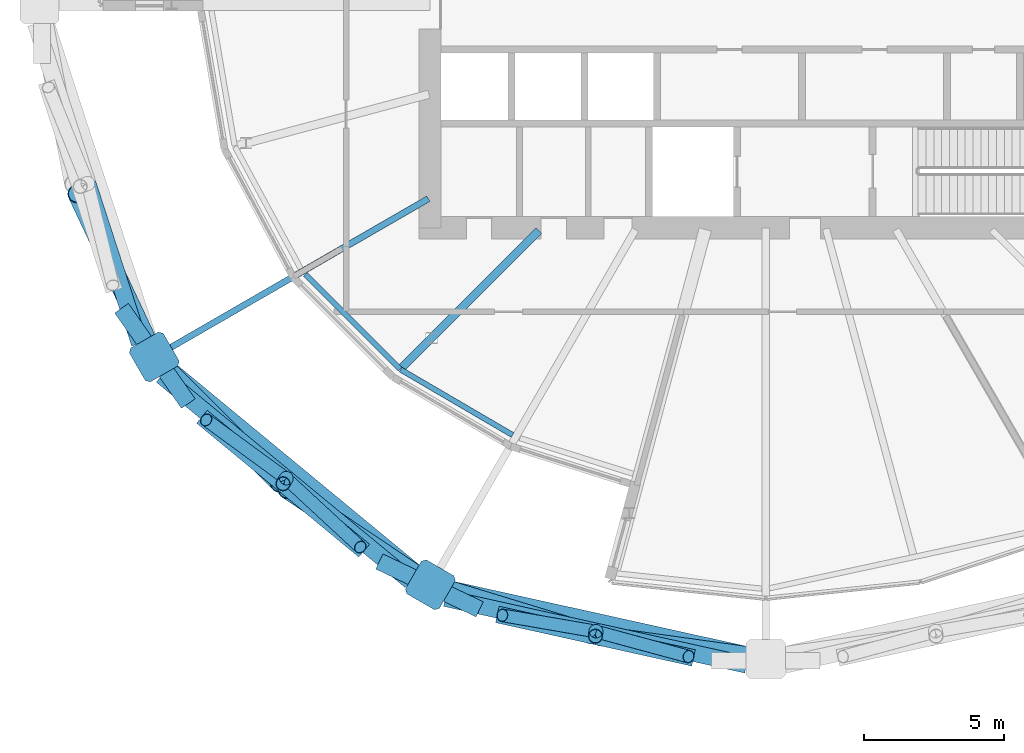
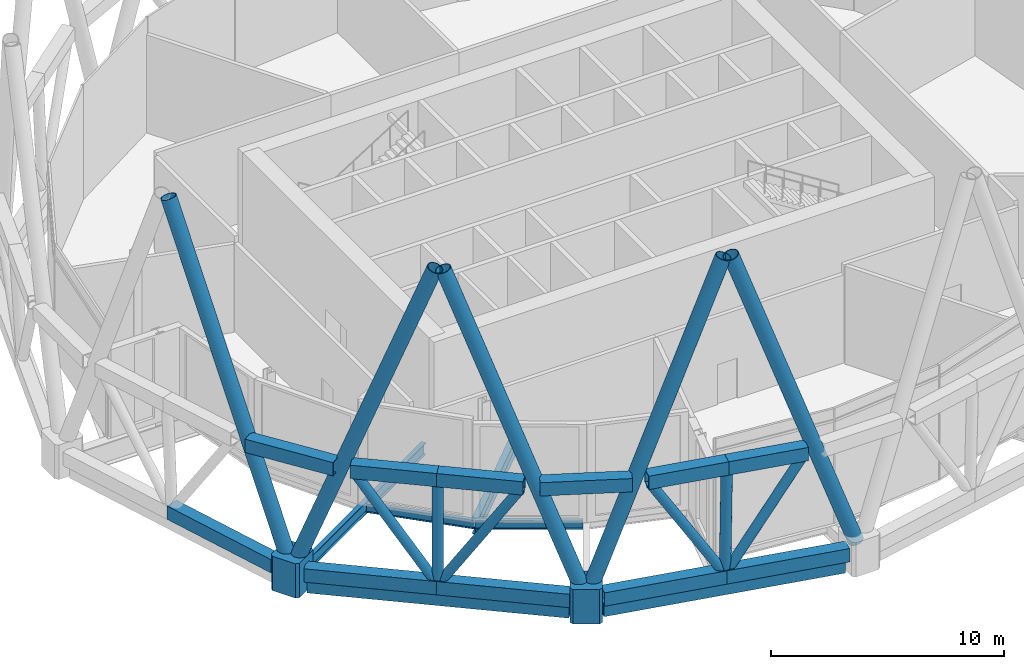
# One storey, part 3 of 33: 24 members, 6 beams.
"""IFC4 building model written with IfcOpenShell, lengths in metres."""

from ifc_helpers import new_model, si_unit, direction, frame, origin, origin_2d, place, context, subcontext, project, spatial, polyline, hollow_rectangle, hollow_circle, i_section, outline, extrude, material, material_profile, profile_set, type_object, element, save


model = new_model("IFC4")

# Units and contexts
model_context = context("Model", 3, precision=1e-05, world=origin(), true_north=direction((0.0, 1.0)))
body_context = subcontext(model_context, "Body", "Model", "MODEL_VIEW")
ifc_project = project(units=[si_unit("LENGTHUNIT", "METRE"), si_unit("AREAUNIT", "SQUARE_METRE"), si_unit("VOLUMEUNIT", "CUBIC_METRE"), si_unit("PLANEANGLEUNIT", "RADIAN"), si_unit("MASSUNIT", "GRAM", prefix="KILO")], contexts=[model_context])

# Site, building, storey
site_placement = place(None, origin())
site = spatial("IfcSite", under=ifc_project, at=site_placement, CompositionType="ELEMENT")
building_placement = place(site_placement, origin())
building = spatial("IfcBuilding", under=site, at=building_placement, Name="Rimbun Link Towers", CompositionType="ELEMENT")
storey_placement = place(building_placement, frame((0.0, 0.0, 75.60009765625)))
storey = spatial("IfcBuildingStorey", under=building, at=storey_placement, Name="L18", CompositionType="ELEMENT", Elevation=75.60009765625)

# Members
ifc_material_1 = material(Name="Steel S460N", Category="steel")
ifc_material_profile_1 = material_profile(ifc_material_1, hollow_rectangle(XDim=0.60009765625, YDim=0.699951171875, WallThickness=0.034912109375, at=origin_2d()), Name="Belt truss chord BOX 600x700x35")
ifc_profile_set_1 = profile_set([ifc_material_profile_1], Name="Steel S460N")
member_type_1 = type_object("IfcMemberType", Name="Belt truss chord BOX 600x700x35", PredefinedType="CHORD", material=ifc_profile_set_1)
member_1_placement = place(storey_placement, frame((-54.775390625, -10.875, 6.0), z_axis=(0.57337572411, -0.819292547874, 0.0), x_axis=(0.819292547874, 0.57337572411, 0.0)))
element("IfcMember", 1, at=member_1_placement, inside=storey, type_object=member_type_1, Name="Belt truss chord T1 L18 top 07", PredefinedType="CHORD", context=body_context, shape_type="SweptSolid", body=[
    extrude(hollow_rectangle(XDim=0.60009765625, YDim=0.699951171875, WallThickness=0.034912109375, at=origin_2d()), origin(), (0.0, 0.0, 1.0), 4.16162109375),
])
member_2_placement = place(storey_placement, frame((-45.5625, -19.927734375, 6.0), z_axis=(0.902615066125, -0.430448652459, 0.0), x_axis=(0.430448652459, 0.902615066125, 0.0)))
element("IfcMember", 2, at=member_2_placement, inside=storey, type_object=member_type_1, Name="Belt truss chord T1 L18 top 08", PredefinedType="CHORD", context=body_context, shape_type="SweptSolid", body=[
    extrude(hollow_rectangle(XDim=0.60009765625, YDim=0.699951171875, WallThickness=0.034912109375, at=origin_2d()), origin(), (0.0, 0.0, 1.0), 3.9736328125),
])
member_3_placement = place(storey_placement, frame((-55.98828125, -6.417236328125, 0.18994140625), z_axis=(0.309075966381, -0.951037353107, 0.0), x_axis=(0.951037353107, 0.309075966381, 0.0)))
element("IfcMember", 3, at=member_3_placement, inside=storey, type_object=member_type_1, Name="Belt truss chord T1 L18 bottom 13", PredefinedType="CHORD", context=body_context, shape_type="SweptSolid", body=[
    extrude(hollow_rectangle(XDim=0.60009765625, YDim=0.699951171875, WallThickness=0.034912109375, at=origin_2d()), origin(), (0.0, 0.0, 1.0), 6.0087890625),
])
member_4_placement = place(storey_placement, frame((-53.345947265625, -13.285888671875, 0.18994140625), z_axis=(0.771283994621, -0.636491162265, 0.0), x_axis=(0.636491162265, 0.771283994621, 0.0)))
element("IfcMember", 4, at=member_4_placement, inside=storey, type_object=member_type_1, Name="Belt truss chord T1 L18 bottom 14", PredefinedType="CHORD", context=body_context, shape_type="SweptSolid", body=[
    extrude(hollow_rectangle(XDim=0.60009765625, YDim=0.699951171875, WallThickness=0.034912109375, at=origin_2d()), origin(), (0.0, 0.0, 1.0), 5.7724609375),
])
member_5_placement = place(storey_placement, frame((-48.893798828125, -16.9599609375, 0.18994140625), z_axis=(0.77126685936, -0.636511925775, 0.0), x_axis=(0.636511925775, 0.77126685936, 0.0)))
element("IfcMember", 5, at=member_5_placement, inside=storey, type_object=member_type_1, Name="Belt truss chord T1 L18 bottom 15", PredefinedType="CHORD", context=body_context, shape_type="SweptSolid", body=[
    extrude(hollow_rectangle(XDim=0.60009765625, YDim=0.699951171875, WallThickness=0.034912109375, at=origin_2d()), origin(), (0.0, 0.0, 1.0), 5.772216796875),
])
member_6_placement = place(storey_placement, frame((-51.904052734375, -14.75537109375, 6.0), z_axis=(0.771272091865, -0.636505585451, 0.0), x_axis=(0.636505585451, 0.771272091865, 0.0)))
element("IfcMember", 6, at=member_6_placement, inside=storey, type_object=member_type_1, Name="Belt truss chord T1 L18 top 26", PredefinedType="CHORD", context=body_context, shape_type="SweptSolid", body=[
    extrude(hollow_rectangle(XDim=0.60009765625, YDim=0.699951171875, WallThickness=0.034912109375, at=origin_2d()), origin(), (0.0, 0.0, 1.0), 3.7607421875),
])
member_7_placement = place(storey_placement, frame((-49.00341796875, -17.149169921875, 6.0), z_axis=(0.771298390091, -0.636473717795, 0.0), x_axis=(0.636473717795, 0.771298390091, 0.0)))
element("IfcMember", 7, at=member_7_placement, inside=storey, type_object=member_type_1, Name="Belt truss chord T1 L18 top 27", PredefinedType="CHORD", context=body_context, shape_type="SweptSolid", body=[
    extrude(hollow_rectangle(XDim=0.60009765625, YDim=0.699951171875, WallThickness=0.034912109375, at=origin_2d()), origin(), (0.0, 0.0, 1.0), 3.760986328125),
])
for number, where, z_axis, x_axis, name in (
    (8, (-43.202392578125, -21.23876953125, 0.18994140625), (0.976355546465, -0.216170874279, 0.0), (0.216170874279, 0.976355546465, 0.0), "Belt truss chord T1 L18 bottom 16"),
    (9, (-37.819091796875, -22.4306640625, 0.18994140625), (0.976355546465, -0.216170874279, 0.0), (0.216170874279, 0.976355546465, 0.0), "Belt truss chord T1 L18 bottom 17"),
):
    element("IfcMember", number, at=place(storey_placement, frame(where, z_axis=z_axis, x_axis=x_axis)), inside=storey, type_object=member_type_1, Name=name, PredefinedType="CHORD", context=body_context, shape_type="SweptSolid", body=[
        extrude(hollow_rectangle(XDim=0.60009765625, YDim=0.699951171875, WallThickness=0.034912109375, at=origin_2d()), origin(), (0.0, 0.0, 1.0), 5.513671875),
    ])
member_8_placement = place(storey_placement, frame((-41.3447265625, -21.82177734375, 6.0), z_axis=(0.976356305139, -0.216167447632, 0.0), x_axis=(0.216167447632, 0.976356305139, 0.0)))
element("IfcMember", 10, at=member_8_placement, inside=storey, type_object=member_type_1, Name="Belt truss chord T1 L18 top 28", PredefinedType="CHORD", context=body_context, shape_type="SweptSolid", body=[
    extrude(hollow_rectangle(XDim=0.60009765625, YDim=0.699951171875, WallThickness=0.034912109375, at=origin_2d()), origin(), (0.0, 0.0, 1.0), 3.591552734375),
])
member_9_placement = place(storey_placement, frame((-37.838134765625, -22.59814453125, 6.0), z_axis=(0.97635312836, -0.216181795584, 0.0), x_axis=(0.216181795584, 0.97635312836, 0.0)))
element("IfcMember", 11, at=member_9_placement, inside=storey, type_object=member_type_1, Name="Belt truss chord T1 L18 top 29", PredefinedType="CHORD", context=body_context, shape_type="SweptSolid", body=[
    extrude(hollow_rectangle(XDim=0.60009765625, YDim=0.699951171875, WallThickness=0.034912109375, at=origin_2d()), origin(), (0.0, 0.0, 1.0), 3.59130859375),
])
ifc_material_2 = material(Name="Steel S355J2H", Category="steel")
ifc_material_profile_2 = material_profile(ifc_material_2, hollow_circle(Radius=0.228515625, WallThickness=0.01611328125, at=origin_2d()), Name="Belt truss diagonal CHS 457x16")
ifc_profile_set_2 = profile_set([ifc_material_profile_2], Name="Steel S355J2H")
member_type_2 = type_object("IfcMemberType", Name="Belt truss diagonal CHS 457x16", PredefinedType="BRACE", material=ifc_profile_set_2)
member_10_placement = place(storey_placement, frame((-49.04638671875, -16.84814453125, 0.484375), z_axis=(-0.435957741043, 0.319295764311, 0.841422048034), x_axis=(-0.590874279334, -0.806763649417, 0.0)))
element("IfcMember", 12, at=member_10_placement, inside=storey, type_object=member_type_2, Name="Belt truss diagonal T1 L18 14", PredefinedType="BRACE", context=body_context, shape_type="SweptSolid", body=[
    extrude(hollow_circle(Radius=0.228515625, WallThickness=0.01611328125, at=origin_2d()), origin(), (0.0, 0.0, 1.0), 6.204833984375),
])
member_11_placement = place(storey_placement, frame((-48.753173828125, -17.090087890625, 0.482666015625), z_axis=(0.401951302505, -0.371961356102, 0.836707774543), x_axis=(0.679195869776, 0.733957063103, 0.0)))
element("IfcMember", 13, at=member_11_placement, inside=storey, type_object=member_type_2, Name="Belt truss diagonal T1 L18 15", PredefinedType="BRACE", context=body_context, shape_type="SweptSolid", body=[
    extrude(hollow_circle(Radius=0.228515625, WallThickness=0.01611328125, at=origin_2d()), origin(), (0.0, 0.0, 1.0), 6.243896484375),
])
member_12_placement = place(storey_placement, frame((-38.0, -22.3994140625, 0.48779296875), z_axis=(-0.516682153979, 0.089230238491, 0.851514836217), x_axis=(-0.170179375016, -0.985413101354, 0.0)))
element("IfcMember", 14, at=member_12_placement, inside=storey, type_object=member_type_2, Name="Belt truss diagonal T1 L18 16", PredefinedType="BRACE", context=body_context, shape_type="SweptSolid", body=[
    extrude(hollow_circle(Radius=0.228515625, WallThickness=0.01611328125, at=origin_2d()), origin(), (0.0, 0.0, 1.0), 6.123291015625),
])
member_13_placement = place(storey_placement, frame((-37.640625, -22.47900390625, 0.487060546875), z_axis=(0.509700273866, -0.137939475145, 0.849222192372), x_axis=(0.261231358377, 0.965276218189, 0.0)))
element("IfcMember", 15, at=member_13_placement, inside=storey, type_object=member_type_2, Name="Belt truss diagonal T1 L18 17", PredefinedType="BRACE", context=body_context, shape_type="SweptSolid", body=[
    extrude(hollow_circle(Radius=0.228515625, WallThickness=0.01611328125, at=origin_2d()), origin(), (0.0, 0.0, 1.0), 6.1416015625),
])
ifc_material_3 = material(Name="Steel S355J2H", Category="steel")
ifc_material_profile_3 = material_profile(ifc_material_3, hollow_circle(Radius=0.25390625, WallThickness=0.02001953125, at=origin_2d()), Name="Belt truss strut CHS 508x20")
ifc_profile_set_3 = profile_set([ifc_material_profile_3], Name="Steel S355J2H")
member_type_3 = type_object("IfcMemberType", Name="Belt truss strut CHS 508x20", PredefinedType="STRUT", material=ifc_profile_set_3)
member_14_placement = place(storey_placement, frame((-48.893798828125, -16.9599609375, 0.539794921875), z_axis=(-0.021431822526, -0.036992566721, 0.999085695519), x_axis=(0.865273365949, -0.501300311369, 0.0)))
element("IfcMember", 16, at=member_14_placement, inside=storey, type_object=member_type_3, Name="Belt truss strut T1 L18 07", PredefinedType="STRUT", context=body_context, shape_type="SweptSolid", body=[
    extrude(hollow_circle(Radius=0.25390625, WallThickness=0.02001953125, at=origin_2d()), origin(), (0.0, 0.0, 1.0), 5.11474609375),
])
member_15_placement = place(storey_placement, frame((-37.819091796875, -22.4306640625, 0.539794921875), z_axis=(-0.003724504363, -0.032756538375, 0.999456420891), x_axis=(0.99359786667, -0.112974684548, 0.0)))
element("IfcMember", 17, at=member_15_placement, inside=storey, type_object=member_type_3, Name="Belt truss strut T1 L18 08", PredefinedType="STRUT", context=body_context, shape_type="SweptSolid", body=[
    extrude(hollow_circle(Radius=0.25390625, WallThickness=0.02001953125, at=origin_2d()), origin(), (0.0, 0.0, 1.0), 5.11279296875),
])
ifc_material_4 = material(Name="Steel S460NH", Category="steel")
ifc_material_profile_4 = material_profile(ifc_material_4, hollow_circle(Radius=0.355712890625, WallThickness=0.031982421875, at=origin_2d()), Name="Diagrid diagonal CHS 711x32")
ifc_profile_set_4 = profile_set([ifc_material_profile_4], Name="Steel S460NH")
member_type_4 = type_object("IfcMemberType", Name="Diagrid diagonal CHS 711x32", PredefinedType="BRACE", material=ifc_profile_set_4)
member_16_placement = place(storey_placement, frame((-53.680908203125, -12.456787109375, 0.467041015625), z_axis=(-0.151480709948, 0.322523406583, 0.934361946314), x_axis=(-0.905137422399, -0.425119096929, 0.0)))
element("IfcMember", 18, at=member_16_placement, inside=storey, type_object=member_type_4, Name="Diagrid diagonal T1 L18-L22 14a", PredefinedType="BRACE", context=body_context, shape_type="SweptSolid", body=[
    extrude(hollow_circle(Radius=0.355712890625, WallThickness=0.031982421875, at=origin_2d()), origin(), (0.0, 0.0, 1.0), 17.622314453125),
])
member_17_placement = place(storey_placement, frame((-53.48095703125, -12.742431640625, 0.468017578125), z_axis=(0.248394646065, -0.248602891073, 0.936214025934), x_axis=(0.707403001156, 0.706810437074, 0.0)))
element("IfcMember", 19, at=member_17_placement, inside=storey, type_object=member_type_4, Name="Diagrid diagonal T1 L18-L22 14b", PredefinedType="BRACE", context=body_context, shape_type="SweptSolid", body=[
    extrude(hollow_circle(Radius=0.355712890625, WallThickness=0.031982421875, at=origin_2d()), origin(), (0.0, 0.0, 1.0), 17.585693359375),
])
member_18_placement = place(storey_placement, frame((-43.878662109375, -20.666748046875, 0.4697265625), z_axis=(-0.28366520323, 0.190308976092, 0.939849214553), x_axis=(-0.557127549683, -0.830426934405, 0.0)))
element("IfcMember", 20, at=member_18_placement, inside=storey, type_object=member_type_4, Name="Diagrid diagonal T1 L18-L22 16a", PredefinedType="BRACE", context=body_context, shape_type="SweptSolid", body=[
    extrude(hollow_circle(Radius=0.355712890625, WallThickness=0.031982421875, at=origin_2d()), origin(), (0.0, 0.0, 1.0), 17.513671875),
])
member_19_placement = place(storey_placement, frame((-43.576171875, -20.81103515625, 0.470703125), z_axis=(0.321408897175, -0.098106206301, 0.941844728765), x_axis=(0.291940729654, 0.956436412089, 0.0)))
element("IfcMember", 21, at=member_19_placement, inside=storey, type_object=member_type_4, Name="Diagrid diagonal T1 L18-L22 16b", PredefinedType="BRACE", context=body_context, shape_type="SweptSolid", body=[
    extrude(hollow_circle(Radius=0.355712890625, WallThickness=0.031982421875, at=origin_2d()), origin(), (0.0, 0.0, 1.0), 17.474365234375),
])
member_20_placement = place(storey_placement, frame((-31.9140625, -23.393310546875, 0.4716796875), z_axis=(-0.328021462775, 0.045634360459, 0.943567392985), x_axis=(-0.137792985348, -0.990461050819, 0.0)))
element("IfcMember", 22, at=member_20_placement, inside=storey, type_object=member_type_4, Name="Diagrid diagonal T1 L18-L22 18a", PredefinedType="BRACE", context=body_context, shape_type="SweptSolid", body=[
    extrude(hollow_circle(Radius=0.355712890625, WallThickness=0.031982421875, at=origin_2d()), origin(), (0.0, 0.0, 1.0), 17.440673828125),
])
ifc_material_5 = material(Name="Cast steel G20Mn5+QT, Rp0.2 300 MPa", Category="steel")
ifc_material_profile_5 = material_profile(ifc_material_5, outline(polyline([(0.699951171875, -0.570068359375), (0.699951171875, 0.570068359375), (0.570068359375, 0.699951171875), (-0.570068359375, 0.699951171875), (-0.699951171875, 0.570068359375), (-0.699951171875, -0.570068359375), (-0.570068359375, -0.699951171875), (0.570068359375, -0.699951171875), (0.699951171875, -0.570068359375)])), Name="NODE 1400x1400")
ifc_profile_set_5 = profile_set([ifc_material_profile_5], Name="Cast steel G20Mn5+QT, Rp0.2 300 MPa")
member_type_5 = type_object("IfcMemberType", Name="Diagrid node cast 1400", PredefinedType="USERDEFINED", material=ifc_profile_set_5)
for number, where, z_axis, x_axis, name in (
    (23, (-53.605224609375, -12.6181640625, -0.900146484375), (0.0, 0.0, 1.0), (-0.866025403784, -0.5, 0.0), "Diagrid node L18 14"),
    (24, (-43.73681640625, -20.761962890625, -0.900146484375), (0.0, 0.0, 1.0), (-0.5, -0.866025403784, 0.0), "Diagrid node L18 16"),
):
    element("IfcMember", number, at=place(storey_placement, frame(where, z_axis=z_axis, x_axis=x_axis)), inside=storey, type_object=member_type_5, Name=name, ObjectType="Diagrid node", PredefinedType="USERDEFINED", context=body_context, shape_type="SweptSolid", body=[
        extrude(outline(polyline([(0.699951171875, -0.570068359375), (0.699951171875, 0.570068359375), (0.570068359375, 0.699951171875), (-0.570068359375, 0.699951171875), (-0.699951171875, 0.570068359375), (-0.699951171875, -0.570068359375), (-0.570068359375, -0.699951171875), (0.570068359375, -0.699951171875), (0.699951171875, -0.570068359375)])), origin(), (0.0, 0.0, 1.0), 1.800048828125),
    ])

# Beams
ifc_material_6 = material(Name="Steel S355J2", Category="steel")
ifc_material_profile_6 = material_profile(ifc_material_6, hollow_rectangle(XDim=0.60009765625, YDim=0.800048828125, WallThickness=0.0400390625, at=origin_2d()), Name="Exoskeleton ring girder BOX 600x800x40")
ifc_profile_set_6 = profile_set([ifc_material_profile_6], Name="Steel S355J2")
beam_type_1 = type_object("IfcBeamType", Name="Exoskeleton ring girder BOX 600x800x40", PredefinedType="BEAM", material=ifc_profile_set_6)
beam_1_placement = place(storey_placement, frame((-53.065185546875, -13.063720703125, -0.56005859375), z_axis=(0.771273612838, -0.636503742439, 0.0), x_axis=(0.636503742439, 0.771273612838, 0.0)))
element("IfcBeam", 25, at=beam_1_placement, inside=storey, type_object=beam_type_1, Name="Exoskeleton ring girder L18 07", PredefinedType="BEAM", context=body_context, shape_type="SweptSolid", body=[
    extrude(hollow_rectangle(XDim=0.60009765625, YDim=0.800048828125, WallThickness=0.0400390625, at=origin_2d()), origin(), (0.0, 0.0, 1.0), 11.39453125),
])
beam_2_placement = place(storey_placement, frame((-43.053466796875, -20.913330078125, -0.56005859375), z_axis=(0.976356287658, -0.216167526585, 0.0), x_axis=(0.216167526585, 0.976356287658, 0.0)))
element("IfcBeam", 26, at=beam_2_placement, inside=storey, type_object=beam_type_1, Name="Exoskeleton ring girder L18 08", PredefinedType="BEAM", context=body_context, shape_type="SweptSolid", body=[
    extrude(hollow_rectangle(XDim=0.60009765625, YDim=0.800048828125, WallThickness=0.0400390625, at=origin_2d()), origin(), (0.0, 0.0, 1.0), 10.877197265625),
])
ifc_material_7 = material(Name="Steel S355J2", Category="steel")
ifc_material_profile_7 = material_profile(ifc_material_7, i_section(OverallWidth=0.18994140625, OverallDepth=0.453369140625, WebThickness=0.008544921875, FlangeThickness=0.0126953125, at=origin_2d()), Name="UB 457x191x67")
ifc_profile_set_7 = profile_set([ifc_material_profile_7], Name="Steel S355J2")
beam_type_2 = type_object("IfcBeamType", Name="UB 457x191x67", PredefinedType="BEAM", material=ifc_profile_set_7)
beam_3_placement = place(storey_placement, frame((-48.212646484375, -9.665771484375, -0.4267578125), z_axis=(0.707946771073, -0.706265792267, 0.0), x_axis=(0.706265792267, 0.707946771073, 0.0)))
element("IfcBeam", 27, at=beam_3_placement, inside=storey, type_object=beam_type_2, Name="Edge beam T1 L18 14 recess", PredefinedType="BEAM", context=body_context, shape_type="SweptSolid", body=[
    extrude(i_section(OverallWidth=0.18994140625, OverallDepth=0.453369140625, WebThickness=0.008544921875, FlangeThickness=0.0126953125, at=origin_2d()), origin(), (0.0, 0.0, 1.0), 4.792724609375),
])
beam_4_placement = place(storey_placement, frame((-44.798828125, -13.06689453125, -0.4267578125), z_axis=(0.863155099379, -0.504938881863, 0.0), x_axis=(0.504938881863, 0.863155099379, 0.0)))
element("IfcBeam", 28, at=beam_4_placement, inside=storey, type_object=beam_type_2, Name="Edge beam T1 L18 15 recess", PredefinedType="BEAM", context=body_context, shape_type="SweptSolid", body=[
    extrude(i_section(OverallWidth=0.18994140625, OverallDepth=0.453369140625, WebThickness=0.008544921875, FlangeThickness=0.0126953125, at=origin_2d()), origin(), (0.0, 0.0, 1.0), 4.632568359375),
])
ifc_material_8 = material(Name="Steel S355J2", Category="steel")
ifc_material_profile_8 = material_profile(ifc_material_8, i_section(OverallWidth=0.2275390625, OverallDepth=0.6025390625, WebThickness=0.010498046875, FlangeThickness=0.014892578125, at=origin_2d()), Name="UB 610x229x101")
ifc_profile_set_8 = profile_set([ifc_material_profile_8], Name="Steel S355J2")
beam_type_3 = type_object("IfcBeamType", Name="UB 610x229x101", PredefinedType="BEAM", material=ifc_profile_set_8)
beam_5_placement = place(storey_placement, frame((-43.807861328125, -6.96142578125, -0.50146484375), z_axis=(-0.866014130296, -0.500019525747, 0.0), x_axis=(0.500019525747, -0.866014130296, 0.0)))
element("IfcBeam", 29, at=beam_5_placement, inside=storey, type_object=beam_type_3, Name="Radial beam T1 L18 14", PredefinedType="BEAM", context=body_context, shape_type="SweptSolid", body=[
    extrude(i_section(OverallWidth=0.2275390625, OverallDepth=0.6025390625, WebThickness=0.010498046875, FlangeThickness=0.014892578125, at=origin_2d()), origin(), (0.0, 0.0, 1.0), 10.81298828125),
])
ifc_material_9 = material(Name="Steel S355J2", Category="steel")
ifc_material_profile_9 = material_profile(ifc_material_9, i_section(OverallWidth=0.29248046875, OverallDepth=0.8408203125, WebThickness=0.0126953125, FlangeThickness=0.021728515625, at=origin_2d()), Name="UB 838x292x194")
ifc_profile_set_9 = profile_set([ifc_material_profile_9], Name="Steel S355J2")
beam_type_4 = type_object("IfcBeamType", Name="UB 838x292x194", PredefinedType="BEAM", material=ifc_profile_set_9)
beam_6_placement = place(storey_placement, frame((-39.85400390625, -8.10400390625, -0.62060546875), z_axis=(-0.707106781187, -0.707106781187, 0.0), x_axis=(0.707106781187, -0.707106781187, 0.0)))
element("IfcBeam", 30, at=beam_6_placement, inside=storey, type_object=beam_type_4, Name="Radial beam T1 L18 15", PredefinedType="BEAM", context=body_context, shape_type="SweptSolid", body=[
    extrude(i_section(OverallWidth=0.29248046875, OverallDepth=0.8408203125, WebThickness=0.0126953125, FlangeThickness=0.021728515625, at=origin_2d()), origin(), (0.0, 0.0, 1.0), 6.912353515625),
])

save(model, "model.ifc")
